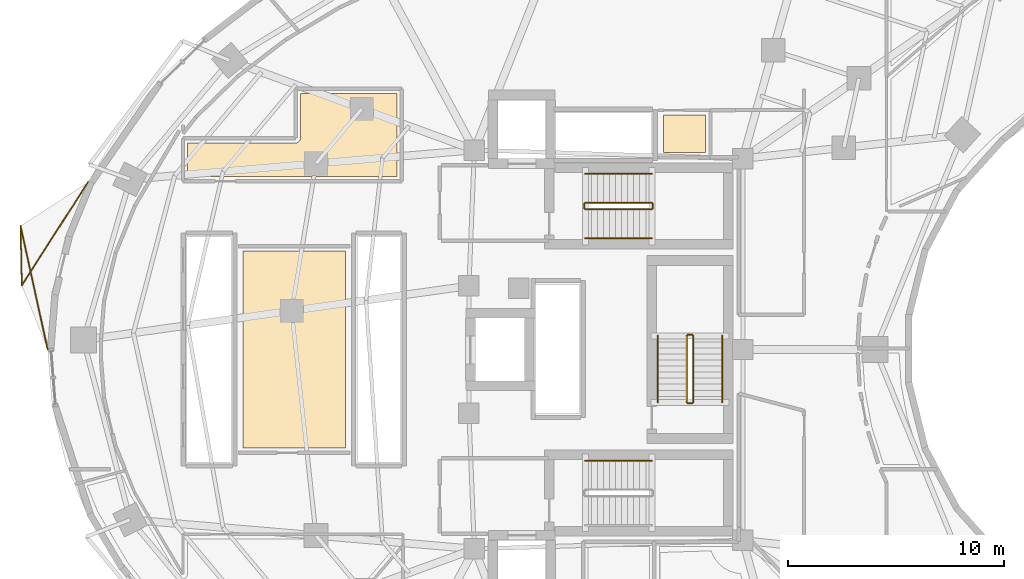
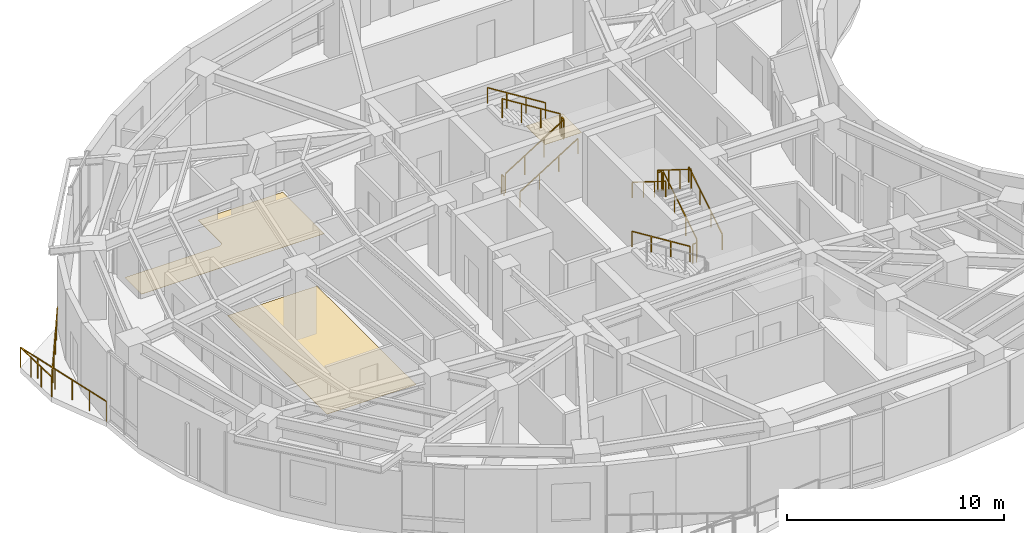
# One storey, part 14 of 15: 14 railings, 3 coverings.
"""IFC4 building model written with IfcOpenShell, lengths in metres."""

from ifc_helpers import new_model, si_unit, direction, frame, origin, origin_2d, place, context, subcontext, project, spatial, polyline, rectangle, outline, extrude, material, layer, layer_set, type_object, element, save


model = new_model("IFC4")

# Units and contexts
model_context = context("Model", 3, precision=1e-05, world=origin(), true_north=direction((0.0, 1.0)))
body_context = subcontext(model_context, "Body", "Model", "MODEL_VIEW")
ifc_project = project(units=[si_unit("LENGTHUNIT", "METRE"), si_unit("AREAUNIT", "SQUARE_METRE"), si_unit("VOLUMEUNIT", "CUBIC_METRE"), si_unit("PLANEANGLEUNIT", "RADIAN"), si_unit("MASSUNIT", "GRAM", prefix="KILO")], contexts=[model_context])

# Site, building, storey
site_placement = place(None, origin())
site = spatial("IfcSite", under=ifc_project, at=site_placement, CompositionType="ELEMENT")
building_placement = place(site_placement, origin())
building = spatial("IfcBuilding", under=site, at=building_placement, Name="Korentha Bioscience Tower", CompositionType="ELEMENT")
storey_placement = place(building_placement, frame((0.0, 0.0, 111.0)))
storey = spatial("IfcBuildingStorey", under=building, at=storey_placement, Name="L25", CompositionType="ELEMENT", Elevation=111.0)

# Covering
ifc_material_1 = material(Name="Vitrified Porcelain Tile", Category="ceramic")
ifc_layer_1 = layer(ifc_material_1, 0.014892578125, Name="Vitrified Porcelain Tile")
ifc_layer_set_1 = layer_set([ifc_layer_1], Name="Vitrified Porcelain Tile (FL-CER)")
covering_type_1 = type_object("IfcCoveringType", Name="Anti-Slip Ceramic Wet-Room Tile Flooring 15", PredefinedType="FLOORING", material=ifc_layer_set_1)
covering_1_placement = place(storey_placement, origin())
element("IfcCovering", 1, at=covering_1_placement, inside=storey, type_object=covering_type_1, Name="L25 Accessible Staff WC Floor Finish", PredefinedType="FLOORING", context=body_context, shape_type="SweptSolid", body=[
    extrude(outline(polyline([(33.8701171875, 36.1298828125), (33.8701171875, 37.8701171875), (35.830078125, 37.8701171875), (35.830078125, 36.1298828125), (33.8701171875, 36.1298828125)])), origin(), (0.0, 0.0, 1.0), 0.014892578125),
])

# Railings
ifc_material_2 = material(Name="Stainless Steel 304", Category="steel")
railing_type_1 = type_object("IfcRailingType", Name="Brushed Stainless Stair Handrail 900", PredefinedType="HANDRAIL", material=ifc_material_2)
railing_1_placement = place(storey_placement, frame((30.25, 32.14990234375, 0.175048828125)))
element("IfcRailing", 2, at=railing_1_placement, inside=storey, type_object=railing_type_1, Name="L25 ST-1 stair handrail 1", PredefinedType="HANDRAIL", context=body_context, shape_type="SweptSolid", body=[
    extrude(rectangle(XDim=0.048095703125, YDim=0.048095703125, at=origin_2d()), frame((0.0, 0.0, 0.8759765625), z_axis=(0.847998304005, 0.0, 0.529998940003), x_axis=(0.0, 1.0, 0.0)), (0.0, 0.0, 1.0), 3.632080078125),
    extrude(rectangle(XDim=0.0419921875, YDim=0.0419921875, at=origin_2d()), origin(), (0.0, 0.0, 1.0), 0.851806640625),
    extrude(rectangle(XDim=0.0419921875, YDim=0.0419921875, at=origin_2d()), frame((1.026611328125, 0.0, 0.6416015625)), (0.0, 0.0, 1.0), 0.851806640625),
    extrude(rectangle(XDim=0.0419921875, YDim=0.0419921875, at=origin_2d()), frame((2.053466796875, 0.0, 1.283447265625)), (0.0, 0.0, 1.0), 0.851806640625),
    extrude(rectangle(XDim=0.0419921875, YDim=0.0419921875, at=origin_2d()), frame((3.080078125, 0.0, 1.925048828125)), (0.0, 0.0, 1.0), 0.851806640625),
])
for number, where, name in (
    (3, (33.330078125, 35.14990234375, 2.27490234375), "L25 ST-1 stair handrail 2"),
    (4, (33.330078125, 21.85009765625, 2.27490234375), "L25 ST-2 stair handrail 2"),
):
    element("IfcRailing", number, at=place(storey_placement, frame(where)), inside=storey, type_object=railing_type_1, Name=name, PredefinedType="HANDRAIL", context=body_context, shape_type="SweptSolid", body=[
        extrude(rectangle(XDim=0.048095703125, YDim=0.048095703125, at=origin_2d()), frame((0.0, 0.0, 0.8759765625), z_axis=(-0.847998304005, 0.0, 0.529998940003), x_axis=(0.0, -1.0, 0.0)), (0.0, 0.0, 1.0), 3.632080078125),
        extrude(rectangle(XDim=0.0419921875, YDim=0.0419921875, at=origin_2d()), origin(), (0.0, 0.0, 1.0), 0.851806640625),
        extrude(rectangle(XDim=0.0419921875, YDim=0.0419921875, at=origin_2d()), frame((-1.026611328125, 0.0, 0.6416015625)), (0.0, 0.0, 1.0), 0.851806640625),
        extrude(rectangle(XDim=0.0419921875, YDim=0.0419921875, at=origin_2d()), frame((-2.053466796875, 0.0, 1.283447265625)), (0.0, 0.0, 1.0), 0.851806640625),
        extrude(rectangle(XDim=0.0419921875, YDim=0.0419921875, at=origin_2d()), frame((-3.080078125, 0.0, 1.925048828125)), (0.0, 0.0, 1.0), 0.851806640625),
    ])
railing_2_placement = place(storey_placement, frame((36.60009765625, 24.550048828125, 0.175048828125)))
element("IfcRailing", 5, at=railing_2_placement, inside=storey, type_object=railing_type_1, Name="L25 ST-3 stair handrail 1", PredefinedType="HANDRAIL", context=body_context, shape_type="SweptSolid", body=[
    extrude(rectangle(XDim=0.048095703125, YDim=0.048095703125, at=origin_2d()), frame((0.0, 0.0, 0.8759765625), z_axis=(0.0, 0.847979421464, 0.530029150871), x_axis=(-1.0, 0.0, 0.0)), (0.0, 0.0, 1.0), 3.632080078125),
    extrude(rectangle(XDim=0.0419921875, YDim=0.0419921875, at=origin_2d()), origin(), (0.0, 0.0, 1.0), 0.851806640625),
    extrude(rectangle(XDim=0.0419921875, YDim=0.0419921875, at=origin_2d()), frame((0.0, 1.026611328125, 0.6416015625)), (0.0, 0.0, 1.0), 0.851806640625),
    extrude(rectangle(XDim=0.0419921875, YDim=0.0419921875, at=origin_2d()), frame((0.0, 2.05322265625, 1.283447265625)), (0.0, 0.0, 1.0), 0.851806640625),
    extrude(rectangle(XDim=0.0419921875, YDim=0.0419921875, at=origin_2d()), frame((0.0, 3.079833984375, 1.925048828125)), (0.0, 0.0, 1.0), 0.851806640625),
])
railing_3_placement = place(storey_placement, frame((33.60009765625, 27.6298828125, 2.27490234375)))
element("IfcRailing", 6, at=railing_3_placement, inside=storey, type_object=railing_type_1, Name="L25 ST-3 stair handrail 2", PredefinedType="HANDRAIL", context=body_context, shape_type="SweptSolid", body=[
    extrude(rectangle(XDim=0.048095703125, YDim=0.048095703125, at=origin_2d()), frame((0.0, 0.0, 0.8759765625), z_axis=(0.0, -0.847979421464, 0.530029150871), x_axis=(1.0, 0.0, 0.0)), (0.0, 0.0, 1.0), 3.632080078125),
    extrude(rectangle(XDim=0.0419921875, YDim=0.0419921875, at=origin_2d()), origin(), (0.0, 0.0, 1.0), 0.851806640625),
    extrude(rectangle(XDim=0.0419921875, YDim=0.0419921875, at=origin_2d()), frame((0.0, -1.026611328125, 0.6416015625)), (0.0, 0.0, 1.0), 0.851806640625),
    extrude(rectangle(XDim=0.0419921875, YDim=0.0419921875, at=origin_2d()), frame((0.0, -2.05322265625, 1.283447265625)), (0.0, 0.0, 1.0), 0.851806640625),
    extrude(rectangle(XDim=0.0419921875, YDim=0.0419921875, at=origin_2d()), frame((0.0, -3.079833984375, 1.925048828125)), (0.0, 0.0, 1.0), 0.851806640625),
])
ifc_material_3 = material(Name="Laminated Tempered Safety Glass", Category="glass")
railing_type_2 = type_object("IfcRailingType", Name="Laminated Glass Balcony Guardrail 1150", PredefinedType="BALUSTRADE", material=ifc_material_3)
railing_4_placement = place(storey_placement, frame((7.17626953125, 34.74609375, 0.0)))
element("IfcRailing", 7, at=railing_4_placement, inside=storey, type_object=railing_type_2, Name="L25 Balcony Guardrail 02", PredefinedType="BALUSTRADE", context=body_context, shape_type="SweptSolid", body=[
    extrude(rectangle(XDim=0.048095703125, YDim=0.048095703125, at=origin_2d()), frame((0.0, 0.0, 1.1259765625), z_axis=(-0.539985183443, -0.841674522403, 0.0), x_axis=(0.841674522403, -0.539985183443, 0.0)), (0.0, 0.0, 1.0), 5.6728515625),
    extrude(rectangle(XDim=0.048095703125, YDim=0.048095703125, at=origin_2d()), frame((-3.063232421875, -4.774658203125, 1.1259765625), z_axis=(-0.020618734894, 0.999787411289, 0.0), x_axis=(-0.999787411289, -0.020618734894, 0.0)), (0.0, 0.0, 1.0), 2.7587890625),
    extrude(rectangle(XDim=0.048095703125, YDim=0.048095703125, at=origin_2d()), frame((-3.1201171875, -2.016357421875, 1.1259765625), z_axis=(0.214417947437, -0.976742004737, 0.0), x_axis=(0.976742004737, 0.214417947437, 0.0)), (0.0, 0.0, 1.0), 5.8662109375),
    extrude(rectangle(XDim=0.0419921875, YDim=0.0419921875, at=origin_2d()), origin(), (0.0, 0.0, 1.0), 1.101806640625),
    extrude(rectangle(XDim=0.0419921875, YDim=0.0419921875, at=origin_2d()), frame((-0.612548828125, -0.954833984375, 0.0)), (0.0, 0.0, 1.0), 1.101806640625),
    extrude(rectangle(XDim=0.0419921875, YDim=0.0419921875, at=origin_2d()), frame((-1.225341796875, -1.909912109375, 0.0)), (0.0, 0.0, 1.0), 1.101806640625),
    extrude(rectangle(XDim=0.0419921875, YDim=0.0419921875, at=origin_2d()), frame((-1.837890625, -2.86474609375, 0.0)), (0.0, 0.0, 1.0), 1.101806640625),
    extrude(rectangle(XDim=0.0419921875, YDim=0.0419921875, at=origin_2d()), frame((-2.45068359375, -3.81982421875, 0.0)), (0.0, 0.0, 1.0), 1.101806640625),
    extrude(rectangle(XDim=0.0419921875, YDim=0.0419921875, at=origin_2d()), frame((-3.063232421875, -4.774658203125, 0.0)), (0.0, 0.0, 1.0), 1.101806640625),
    extrude(rectangle(XDim=0.0419921875, YDim=0.0419921875, at=origin_2d()), frame((-3.082275390625, -3.855224609375, 0.0)), (0.0, 0.0, 1.0), 1.101806640625),
    extrude(rectangle(XDim=0.0419921875, YDim=0.0419921875, at=origin_2d()), frame((-3.10107421875, -2.935791015625, 0.0)), (0.0, 0.0, 1.0), 1.101806640625),
    extrude(rectangle(XDim=0.0419921875, YDim=0.0419921875, at=origin_2d()), frame((-3.1201171875, -2.016357421875, 0.0)), (0.0, 0.0, 1.0), 1.101806640625),
    extrude(rectangle(XDim=0.0419921875, YDim=0.0419921875, at=origin_2d()), frame((-2.86865234375, -3.162353515625, 0.0)), (0.0, 0.0, 1.0), 1.101806640625),
    extrude(rectangle(XDim=0.0419921875, YDim=0.0419921875, at=origin_2d()), frame((-2.616943359375, -4.308349609375, 0.0)), (0.0, 0.0, 1.0), 1.101806640625),
    extrude(rectangle(XDim=0.0419921875, YDim=0.0419921875, at=origin_2d()), frame((-2.365478515625, -5.4541015625, 0.0)), (0.0, 0.0, 1.0), 1.101806640625),
    extrude(rectangle(XDim=0.0419921875, YDim=0.0419921875, at=origin_2d()), frame((-2.11376953125, -6.60009765625, 0.0)), (0.0, 0.0, 1.0), 1.101806640625),
    extrude(rectangle(XDim=0.0419921875, YDim=0.0419921875, at=origin_2d()), frame((-1.8623046875, -7.74609375, 0.0)), (0.0, 0.0, 1.0), 1.101806640625),
])
ifc_material_4 = material(Name="Painted Steel S275", Category="steel")
railing_type_3 = type_object("IfcRailingType", Name="Painted Steel Stair Well Guardrail 1100", PredefinedType="GUARDRAIL", material=ifc_material_4)
railing_5_placement = place(storey_placement, frame((30.25, 33.5, 0.175048828125)))
element("IfcRailing", 8, at=railing_5_placement, inside=storey, type_object=railing_type_3, Name="L25 ST-1 stair guard 1", PredefinedType="GUARDRAIL", context=body_context, shape_type="SweptSolid", body=[
    extrude(rectangle(XDim=0.048095703125, YDim=0.048095703125, at=origin_2d()), frame((0.0, 0.0, 1.076171875), z_axis=(0.847998304005, 0.0, 0.529998940003), x_axis=(0.0, 1.0, 0.0)), (0.0, 0.0, 1.0), 3.632080078125),
    extrude(rectangle(XDim=0.0419921875, YDim=0.0419921875, at=origin_2d()), origin(), (0.0, 0.0, 1.0), 1.052001953125),
    extrude(rectangle(XDim=0.0419921875, YDim=0.0419921875, at=origin_2d()), frame((1.026611328125, 0.0, 0.6416015625)), (0.0, 0.0, 1.0), 1.052001953125),
    extrude(rectangle(XDim=0.0419921875, YDim=0.0419921875, at=origin_2d()), frame((2.053466796875, 0.0, 1.283447265625)), (0.0, 0.0, 1.0), 1.052001953125),
    extrude(rectangle(XDim=0.0419921875, YDim=0.0419921875, at=origin_2d()), frame((3.080078125, 0.0, 1.925048828125)), (0.0, 0.0, 1.0), 1.052001953125),
])
railing_6_placement = place(storey_placement, frame((33.3798828125, 33.550048828125, 2.10009765625)))
element("IfcRailing", 9, at=railing_6_placement, inside=storey, type_object=railing_type_3, Name="L25 ST-1 stair guard 2", PredefinedType="GUARDRAIL", context=body_context, shape_type="SweptSolid", body=[
    extrude(rectangle(XDim=0.048095703125, YDim=0.048095703125, at=origin_2d()), frame((0.0, 0.0, 1.076171875), z_axis=(0.0, 1.0, 0.0), x_axis=(-1.0, 0.0, 0.0)), (0.0, 0.0, 1.0), 0.199951171875),
    extrude(rectangle(XDim=0.0419921875, YDim=0.0419921875, at=origin_2d()), origin(), (0.0, 0.0, 1.0), 1.052001953125),
    extrude(rectangle(XDim=0.0419921875, YDim=0.0419921875, at=origin_2d()), frame((0.0, 0.199951171875, 0.0)), (0.0, 0.0, 1.0), 1.052001953125),
])
railing_7_placement = place(storey_placement, frame((33.330078125, 33.800048828125, 2.27490234375)))
element("IfcRailing", 10, at=railing_7_placement, inside=storey, type_object=railing_type_3, Name="L25 ST-1 stair guard 3", PredefinedType="GUARDRAIL", context=body_context, shape_type="SweptSolid", body=[
    extrude(rectangle(XDim=0.048095703125, YDim=0.048095703125, at=origin_2d()), frame((0.0, 0.0, 1.076171875), z_axis=(-0.847998304005, 0.0, 0.529998940003), x_axis=(0.0, -1.0, 0.0)), (0.0, 0.0, 1.0), 3.632080078125),
    extrude(rectangle(XDim=0.0419921875, YDim=0.0419921875, at=origin_2d()), origin(), (0.0, 0.0, 1.0), 1.052001953125),
    extrude(rectangle(XDim=0.0419921875, YDim=0.0419921875, at=origin_2d()), frame((-1.026611328125, 0.0, 0.6416015625)), (0.0, 0.0, 1.0), 1.052001953125),
    extrude(rectangle(XDim=0.0419921875, YDim=0.0419921875, at=origin_2d()), frame((-2.053466796875, 0.0, 1.283447265625)), (0.0, 0.0, 1.0), 1.052001953125),
    extrude(rectangle(XDim=0.0419921875, YDim=0.0419921875, at=origin_2d()), frame((-3.080078125, 0.0, 1.925048828125)), (0.0, 0.0, 1.0), 1.052001953125),
])
railing_8_placement = place(storey_placement, frame((30.199951171875, 33.550048828125, 0.0)))
element("IfcRailing", 11, at=railing_8_placement, inside=storey, type_object=railing_type_3, Name="L25 ST-1 stair guard 4", PredefinedType="GUARDRAIL", context=body_context, shape_type="SweptSolid", body=[
    extrude(rectangle(XDim=0.048095703125, YDim=0.048095703125, at=origin_2d()), frame((0.0, 0.0, 1.076171875), z_axis=(0.0, 1.0, 0.0), x_axis=(-1.0, 0.0, 0.0)), (0.0, 0.0, 1.0), 0.199951171875),
    extrude(rectangle(XDim=0.0419921875, YDim=0.0419921875, at=origin_2d()), origin(), (0.0, 0.0, 1.0), 1.052001953125),
    extrude(rectangle(XDim=0.0419921875, YDim=0.0419921875, at=origin_2d()), frame((0.0, 0.199951171875, 0.0)), (0.0, 0.0, 1.0), 1.052001953125),
])
railing_9_placement = place(storey_placement, frame((35.25, 24.550048828125, 0.175048828125)))
element("IfcRailing", 12, at=railing_9_placement, inside=storey, type_object=railing_type_3, Name="L25 ST-3 stair guard 1", PredefinedType="GUARDRAIL", context=body_context, shape_type="SweptSolid", body=[
    extrude(rectangle(XDim=0.048095703125, YDim=0.048095703125, at=origin_2d()), frame((0.0, 0.0, 1.076171875), z_axis=(0.0, 0.847979421464, 0.530029150871), x_axis=(-1.0, 0.0, 0.0)), (0.0, 0.0, 1.0), 3.632080078125),
    extrude(rectangle(XDim=0.0419921875, YDim=0.0419921875, at=origin_2d()), origin(), (0.0, 0.0, 1.0), 1.052001953125),
    extrude(rectangle(XDim=0.0419921875, YDim=0.0419921875, at=origin_2d()), frame((0.0, 1.026611328125, 0.6416015625)), (0.0, 0.0, 1.0), 1.052001953125),
    extrude(rectangle(XDim=0.0419921875, YDim=0.0419921875, at=origin_2d()), frame((0.0, 2.05322265625, 1.283447265625)), (0.0, 0.0, 1.0), 1.052001953125),
    extrude(rectangle(XDim=0.0419921875, YDim=0.0419921875, at=origin_2d()), frame((0.0, 3.079833984375, 1.925048828125)), (0.0, 0.0, 1.0), 1.052001953125),
])
railing_10_placement = place(storey_placement, frame((35.199951171875, 27.679931640625, 2.10009765625)))
element("IfcRailing", 13, at=railing_10_placement, inside=storey, type_object=railing_type_3, Name="L25 ST-3 stair guard 2", PredefinedType="GUARDRAIL", context=body_context, shape_type="SweptSolid", body=[
    extrude(rectangle(XDim=0.048095703125, YDim=0.048095703125, at=origin_2d()), frame((0.0, 0.0, 1.076171875), z_axis=(-1.0, 0.0, 0.0), x_axis=(0.0, -1.0, 0.0)), (0.0, 0.0, 1.0), 0.199951171875),
    extrude(rectangle(XDim=0.0419921875, YDim=0.0419921875, at=origin_2d()), origin(), (0.0, 0.0, 1.0), 1.052001953125),
    extrude(rectangle(XDim=0.0419921875, YDim=0.0419921875, at=origin_2d()), frame((-0.199951171875, 0.0, 0.0)), (0.0, 0.0, 1.0), 1.052001953125),
])
railing_11_placement = place(storey_placement, frame((34.949951171875, 27.6298828125, 2.27490234375)))
element("IfcRailing", 14, at=railing_11_placement, inside=storey, type_object=railing_type_3, Name="L25 ST-3 stair guard 3", PredefinedType="GUARDRAIL", context=body_context, shape_type="SweptSolid", body=[
    extrude(rectangle(XDim=0.048095703125, YDim=0.048095703125, at=origin_2d()), frame((0.0, 0.0, 1.076171875), z_axis=(0.0, -0.847979421464, 0.530029150871), x_axis=(1.0, 0.0, 0.0)), (0.0, 0.0, 1.0), 3.632080078125),
    extrude(rectangle(XDim=0.0419921875, YDim=0.0419921875, at=origin_2d()), origin(), (0.0, 0.0, 1.0), 1.052001953125),
    extrude(rectangle(XDim=0.0419921875, YDim=0.0419921875, at=origin_2d()), frame((0.0, -1.026611328125, 0.6416015625)), (0.0, 0.0, 1.0), 1.052001953125),
    extrude(rectangle(XDim=0.0419921875, YDim=0.0419921875, at=origin_2d()), frame((0.0, -2.05322265625, 1.283447265625)), (0.0, 0.0, 1.0), 1.052001953125),
    extrude(rectangle(XDim=0.0419921875, YDim=0.0419921875, at=origin_2d()), frame((0.0, -3.079833984375, 1.925048828125)), (0.0, 0.0, 1.0), 1.052001953125),
])
railing_12_placement = place(storey_placement, frame((35.199951171875, 24.5, 0.0)))
element("IfcRailing", 15, at=railing_12_placement, inside=storey, type_object=railing_type_3, Name="L25 ST-3 stair guard 4", PredefinedType="GUARDRAIL", context=body_context, shape_type="SweptSolid", body=[
    extrude(rectangle(XDim=0.048095703125, YDim=0.048095703125, at=origin_2d()), frame((0.0, 0.0, 1.076171875), z_axis=(-1.0, 0.0, 0.0), x_axis=(0.0, -1.0, 0.0)), (0.0, 0.0, 1.0), 0.199951171875),
    extrude(rectangle(XDim=0.0419921875, YDim=0.0419921875, at=origin_2d()), origin(), (0.0, 0.0, 1.0), 1.052001953125),
    extrude(rectangle(XDim=0.0419921875, YDim=0.0419921875, at=origin_2d()), frame((-0.199951171875, 0.0, 0.0)), (0.0, 0.0, 1.0), 1.052001953125),
])

# Coverings
ifc_material_5 = material(Name="Chemical-Resistant Epoxy Resin", Category="polymer")
ifc_layer_2 = layer(ifc_material_5, 0.011962890625, Name="Chemical-Resistant Epoxy Resin")
ifc_layer_set_2 = layer_set([ifc_layer_2], Name="Chemical-Resistant Epoxy Resin (FL-EPX)")
covering_type_2 = type_object("IfcCoveringType", Name="Seamless Epoxy Laboratory Flooring 12", PredefinedType="FLOORING", material=ifc_layer_set_2)
covering_2_placement = place(storey_placement, origin())
element("IfcCovering", 16, at=covering_2_placement, inside=storey, type_object=covering_type_2, Name="L25 Consumables Archive Room 13 Floor Finish", PredefinedType="FLOORING", context=body_context, shape_type="SweptSolid", body=[
    extrude(outline(polyline([(16.800048828125, 36.570068359375), (16.8779296875, 36.58349609375), (16.9541015625, 36.62939453125), (17.0078125, 36.701171875), (17.027587890625, 36.7666015625), (17.030029296875, 38.8701171875), (21.52001953125, 38.8701171875), (21.52001953125, 35.030029296875), (11.81005859375, 35.030029296875), (11.81005859375, 36.570068359375), (16.800048828125, 36.570068359375)])), origin(), (0.0, 0.0, 1.0), 0.011962890625),
])
covering_3_placement = place(storey_placement, origin())
element("IfcCovering", 17, at=covering_3_placement, inside=storey, type_object=covering_type_2, Name="L25 Mass-Spectrometry Analytical Suite 15 Floor Finish", PredefinedType="FLOORING", context=body_context, shape_type="SweptSolid", body=[
    extrude(outline(polyline([(14.3798828125, 22.429931640625), (14.380126953125, 31.570068359375), (19.1201171875, 31.570068359375), (19.119873046875, 22.429931640625), (14.3798828125, 22.429931640625)])), origin(), (0.0, 0.0, 1.0), 0.011962890625),
])

save(model, "model.ifc")
